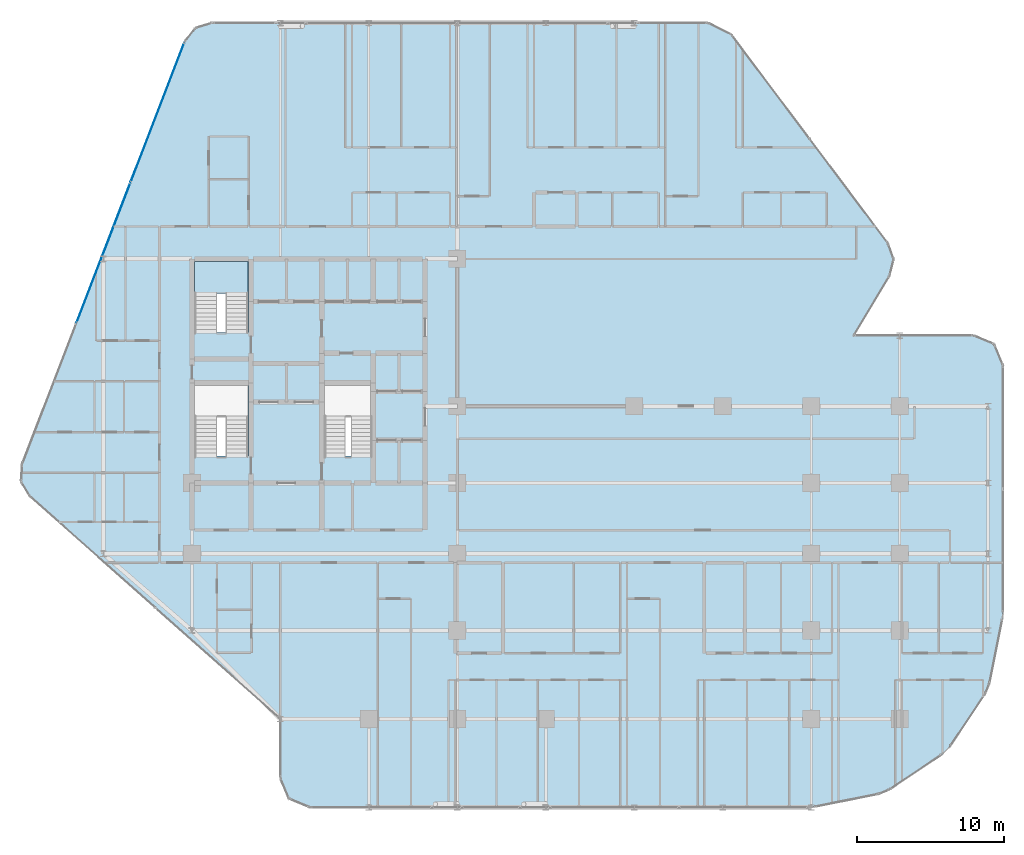
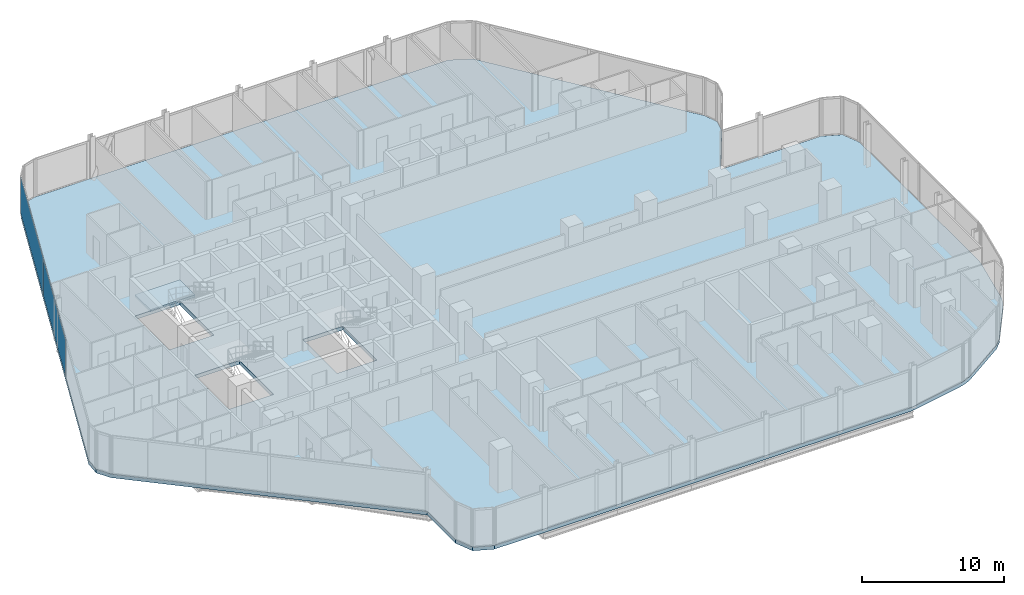
# One storey, part 23 of 33: 2 plates, 2 slabs, 2 elements without a shape of their own.
"""IFC4 building model written with IfcOpenShell, lengths in metres."""

from ifc_helpers import new_model, si_unit, direction, frame, origin, origin_2d, place, context, subcontext, project, spatial, polyline, rectangle, outline, extrude, material, layer, layer_set, type_object, element, aggregate, save


model = new_model("IFC4")

# Units and contexts
model_context = context("Model", 3, precision=1e-05, world=origin(), true_north=direction((0.0, 1.0)))
body_context = subcontext(model_context, "Body", "Model", "MODEL_VIEW")
ifc_project = project(units=[si_unit("LENGTHUNIT", "METRE"), si_unit("AREAUNIT", "SQUARE_METRE"), si_unit("VOLUMEUNIT", "CUBIC_METRE"), si_unit("PLANEANGLEUNIT", "RADIAN"), si_unit("MASSUNIT", "GRAM", prefix="KILO")], contexts=[model_context])

# Site, building, storey
site_placement = place(None, origin())
site = spatial("IfcSite", under=ifc_project, at=site_placement, CompositionType="ELEMENT")
building_placement = place(site_placement, origin())
building = spatial("IfcBuilding", under=site, at=building_placement, Name="Keshet Zoharim Tower", CompositionType="ELEMENT")
storey_placement = place(building_placement, frame((0.0, 0.0, 57.300048828125)))
storey = spatial("IfcBuildingStorey", under=building, at=storey_placement, Name="L13", CompositionType="ELEMENT", Elevation=57.300048828125)

# Curtain wall, plates
ifc_material_1 = material(Name="Aluminium 6063-T6", Category="aluminium")
ifc_layer_1 = layer(ifc_material_1, 0.179931640625)
ifc_layer_set_1 = layer_set([ifc_layer_1], Name="Aluminium 6063-T6")
curtain_wall_type = type_object("IfcCurtainWallType", Name="CW-SYS-01", PredefinedType="NOTDEFINED", material=ifc_layer_set_1)
curtain_wall_placement = place(storey_placement, origin())
curtain_wall = element("IfcCurtainWall", 1, at=curtain_wall_placement, inside=storey, type_object=curtain_wall_type, Name="L13 Unitised Curtain Wall 04", PredefinedType="NOTDEFINED")
ifc_material_2 = material(Name="Insulated Low-E Clear Glass", Category="glass")
ifc_layer_2 = layer(ifc_material_2, 0.035888671875)
ifc_layer_set_2 = layer_set([ifc_layer_2], Name="Insulated Low-E Clear Glass")
plate_type = type_object("IfcPlateType", Name="CWP-01", PredefinedType="CURTAIN_PANEL", material=ifc_layer_set_2)
plate_1_placement = place(storey_placement, frame((9.001953125, 38.305419921875, 0.06982421875), z_axis=(0.0, 0.0, 1.0), x_axis=(0.358990003907, 0.933341404361, 0.0)))
plate_1 = element("IfcPlate", 2, at=plate_1_placement, type_object=plate_type, Name="CW-01 panel 2.1", PredefinedType="CURTAIN_PANEL", context=body_context, shape_type="SweptSolid", body=[
    extrude(rectangle(XDim=10.153076171875, YDim=0.035888671875, at=origin_2d()), origin(), (0.0, 0.0, 1.0), 3.139892578125),
])
plate_2_placement = place(storey_placement, frame((12.665771484375, 47.830810546875, 0.06982421875), z_axis=(0.0, 0.0, 1.0), x_axis=(0.358990003907, 0.933341404361, 0.0)))
plate_2 = element("IfcPlate", 3, at=plate_2_placement, type_object=plate_type, Name="CW-01 panel 3.1", PredefinedType="CURTAIN_PANEL", context=body_context, shape_type="SweptSolid", body=[
    extrude(rectangle(XDim=10.1181640625, YDim=0.035888671875, at=origin_2d()), origin(), (0.0, 0.0, 1.0), 3.139892578125),
])
aggregate(curtain_wall, [plate_1, plate_2])

# Stair, slab
ifc_material_3 = material(Name="Concrete C50/60", Category="concrete")
stair_type = type_object("IfcStairType", Name="STR-EXIT-135", PredefinedType="HALF_TURN_STAIR", material=ifc_material_3)
stair_placement = place(storey_placement, origin())
stair = element("IfcStair", 4, at=stair_placement, inside=storey, type_object=stair_type, Name="L13 Enclosed Exit Stair ST-02", PredefinedType="HALF_TURN_STAIR")
ifc_layer_3 = layer(ifc_material_3, 0.199951171875)
ifc_layer_set_3 = layer_set([ifc_layer_3], Name="Concrete C50/60")
slab_type_1 = type_object("IfcSlabType", Name="SLB-LND-200", PredefinedType="LANDING", material=ifc_layer_set_3)
slab_1_placement = place(storey_placement, frame((0.0, 0.0, 1.64990234375)))
slab_1 = element("IfcSlab", 5, at=slab_1_placement, type_object=slab_type_1, Name="ST-02 landing 1", PredefinedType="LANDING", context=body_context, shape_type="SweptSolid", body=[
    extrude(outline(polyline([(15.179931640625, 35.56005859375), (18.820068359375, 35.56005859375), (18.820068359375, 37.719970703125), (15.179931640625, 37.719970703125), (15.179931640625, 35.56005859375)])), origin(), (0.0, 0.0, 1.0), 0.199951171875),
])
aggregate(stair, [slab_1])

# Slab
ifc_layer_4 = layer(ifc_material_3, 0.31494140625)
ifc_layer_set_4 = layer_set([ifc_layer_4], Name="Concrete C50/60")
slab_type_2 = type_object("IfcSlabType", Name="SLB-LOW-260", PredefinedType="FLOOR", material=ifc_layer_set_4)
slab_2_placement = place(storey_placement, frame((0.0, 0.0, -0.31494140625)))
element("IfcSlab", 6, at=slab_2_placement, inside=storey, type_object=slab_type_2, Name="L13 Structural Floor Slab 1", PredefinedType="FLOOR", context=body_context, shape_type="SweptSolid", body=[
    extrude(outline(polyline([(21.0, 6.699951171875), (4.034912109375, 21.780029296875), (3.419921875, 22.802001953125), (3.4970703125, 23.992919921875), (14.507080078125, 52.617919921875), (15.240966796875, 53.549072265625), (16.3740234375, 53.89990234375), (50.0, 53.89990234375), (51.60009765625, 53.10009765625), (62.193115234375, 38.97607421875), (62.590087890625, 37.87890625), (62.30810546875, 36.7470703125), (59.8798828125, 32.699951171875), (68.0, 32.699951171875), (69.4140625, 32.114013671875), (70.0, 30.699951171875), (70.0, 13.89697265625), (69.9619140625, 13.507080078125), (69.087890625, 9.114990234375), (68.7890625, 8.39404296875), (66.4130859375, 4.837890625), (65.862060546875, 4.287109375), (62.305908203125, 1.910888671875), (61.5849609375, 1.612060546875), (57.193115234375, 0.738037109375), (56.802978515625, 0.699951171875), (23.0, 0.699951171875), (21.5859375, 1.285888671875), (21.0, 2.699951171875), (21.0, 6.699951171875)]), holes=[polyline([(15.179931640625, 24.52001953125), (18.820068359375, 24.52001953125), (18.820068359375, 29.320068359375), (15.179931640625, 29.320068359375), (15.179931640625, 24.52001953125)]), polyline([(15.179931640625, 32.919921875), (18.820068359375, 32.919921875), (18.820068359375, 37.719970703125), (15.179931640625, 37.719970703125), (15.179931640625, 32.919921875)]), polyline([(23.97998046875, 24.52001953125), (27.219970703125, 24.52001953125), (27.219970703125, 29.320068359375), (23.97998046875, 29.320068359375), (23.97998046875, 24.52001953125)])]), origin(), (0.0, 0.0, 1.0), 0.31494140625),
])

save(model, "model.ifc")
